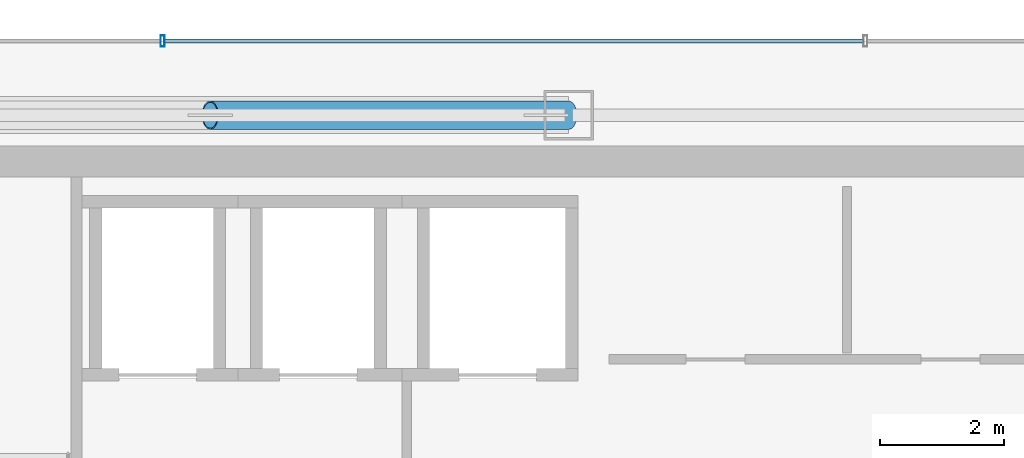
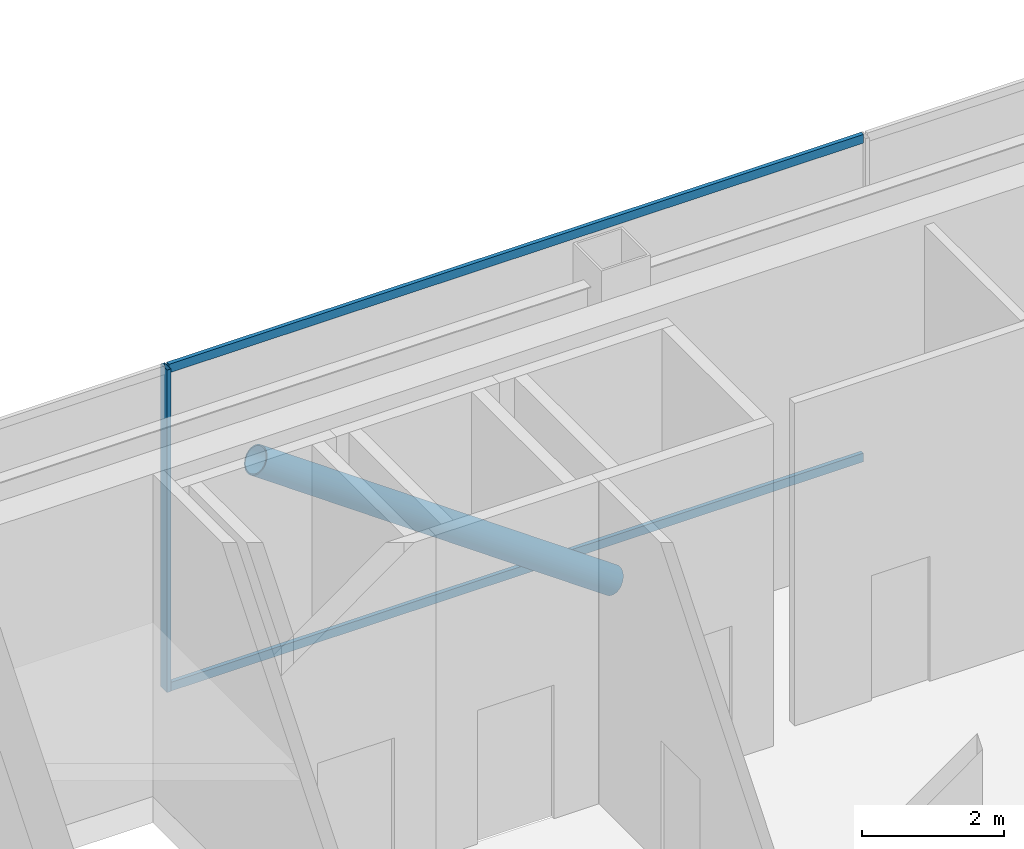
# One storey, part 23 of 34: 4 members, 1 element without a shape of its own.
"""IFC4 building model written with IfcOpenShell, lengths in metres."""

from ifc_helpers import new_model, si_unit, direction, frame, origin, origin_2d, place, context, subcontext, project, spatial, hollow_rectangle, hollow_circle, extrude, material, material_profile, profile_set, type_object, element, aggregate, save


model = new_model("IFC4")

# Units and contexts
model_context = context("Model", 3, precision=1e-05, world=origin(), true_north=direction((0.0, 1.0)))
body_context = subcontext(model_context, "Body", "Model", "MODEL_VIEW")
ifc_project = project(units=[si_unit("LENGTHUNIT", "METRE"), si_unit("AREAUNIT", "SQUARE_METRE"), si_unit("VOLUMEUNIT", "CUBIC_METRE"), si_unit("PLANEANGLEUNIT", "RADIAN"), si_unit("MASSUNIT", "GRAM", prefix="KILO")], contexts=[model_context])

# Site, building, storey
site_placement = place(None, origin())
site = spatial("IfcSite", under=ifc_project, at=site_placement, CompositionType="ELEMENT")
building_placement = place(site_placement, origin())
building = spatial("IfcBuilding", under=site, at=building_placement, Name="Saevonmaru Cultural Tower", CompositionType="ELEMENT")
storey_placement = place(building_placement, frame((0.0, 0.0, 224.60009765625)))
storey = spatial("IfcBuildingStorey", under=building, at=storey_placement, Name="L52", CompositionType="ELEMENT", Elevation=224.60009765625)

# Member
ifc_material_1 = material(Name="Steel SM420", Category="steel")
ifc_material_profile_1 = material_profile(ifc_material_1, hollow_circle(Radius=0.228515625, WallThickness=0.02001953125, at=origin_2d()), Name="CHS-457.2x20")
ifc_profile_set_1 = profile_set([ifc_material_profile_1], Name="Steel SM420")
member_type_1 = type_object("IfcMemberType", Name="MB-OBR-CHS457", PredefinedType="BRACE", material=ifc_profile_set_1)
member_1_placement = place(storey_placement, frame((25.199951171875, 54.800048828125, 0.2998046875), z_axis=(-0.816573308229, 0.0, 0.577241745102), x_axis=(0.0, -1.0, 0.0)))
element("IfcMember", 1, at=member_1_placement, inside=storey, type_object=member_type_1, Name="L52 Outrigger Truss Diagonal OW1-2", PredefinedType="BRACE", context=body_context, shape_type="SweptSolid", body=[
    extrude(hollow_circle(Radius=0.228515625, WallThickness=0.02001953125, at=origin_2d()), origin(), (0.0, 0.0, 1.0), 7.10302734375),
])

# Curtain wall, members
ifc_material_2 = material(Name="Satin Bronze Anodised Aluminium", Category="aluminium")
curtain_wall_type = type_object("IfcCurtainWallType", Name="CW-TYP-B", PredefinedType="NOTDEFINED", material=ifc_material_2)
curtain_wall_placement = place(storey_placement, origin())
curtain_wall = element("IfcCurtainWall", 2, at=curtain_wall_placement, inside=storey, type_object=curtain_wall_type, Name="L52 Wind-Floor Acoustic Louvre Screen E10", PredefinedType="NOTDEFINED")
ifc_material_profile_2 = material_profile(ifc_material_2, hollow_rectangle(XDim=0.06494140625, YDim=0.179931640625, WallThickness=0.00390625, at=origin_2d()), Name="ALU-MULL-180x65x4")
ifc_profile_set_2 = profile_set([ifc_material_profile_2], Name="Satin Bronze Anodised Aluminium")
member_type_2 = type_object("IfcMemberType", Name="ML-CW-180x65", PredefinedType="MULLION", material=ifc_profile_set_2)
member_2_placement = place(storey_placement, frame((18.6298828125, 56.0, 0.0), z_axis=(0.0, 0.0, 1.0), x_axis=(-1.0, 0.0, 0.0)))
member_2 = element("IfcMember", 3, at=member_2_placement, type_object=member_type_2, Name="CW-TW-L52-E10 mullion 4", PredefinedType="MULLION", context=body_context, shape_type="SweptSolid", body=[
    extrude(hollow_rectangle(XDim=0.06494140625, YDim=0.179931640625, WallThickness=0.00390625, at=origin_2d()), origin(), (0.0, 0.0, 1.0), 5.5498046875),
])
ifc_material_profile_3 = material_profile(ifc_material_2, hollow_rectangle(XDim=0.06494140625, YDim=0.14990234375, WallThickness=0.00390625, at=origin_2d()), Name="ALU-TRAN-150x65x4")
ifc_profile_set_3 = profile_set([ifc_material_profile_3], Name="Satin Bronze Anodised Aluminium")
member_type_3 = type_object("IfcMemberType", Name="TR-CW-150x65", PredefinedType="USERDEFINED", material=ifc_profile_set_3)
member_3_placement = place(storey_placement, frame((29.967529296875, 56.0, 0.032470703125), z_axis=(-1.0, 0.0, 0.0), x_axis=(0.0, -1.0, 0.0)))
member_3 = element("IfcMember", 4, at=member_3_placement, type_object=member_type_3, Name="CW-TW-L52-E10 transom 3.1", ObjectType="TRANSOM", PredefinedType="USERDEFINED", context=body_context, shape_type="SweptSolid", body=[
    extrude(hollow_rectangle(XDim=0.06494140625, YDim=0.14990234375, WallThickness=0.00390625, at=origin_2d()), origin(), (0.0, 0.0, 1.0), 11.304931640625),
])
member_4_placement = place(storey_placement, frame((29.967529296875, 56.0, 5.517333984375), z_axis=(-1.0, 0.0, 0.0), x_axis=(0.0, -1.0, 0.0)))
member_4 = element("IfcMember", 5, at=member_4_placement, type_object=member_type_3, Name="CW-TW-L52-E10 transom 3.2", ObjectType="TRANSOM", PredefinedType="USERDEFINED", context=body_context, shape_type="SweptSolid", body=[
    extrude(hollow_rectangle(XDim=0.06494140625, YDim=0.14990234375, WallThickness=0.00390625, at=origin_2d()), origin(), (0.0, 0.0, 1.0), 11.304931640625),
])
aggregate(curtain_wall, [member_2, member_3, member_4])

save(model, "model.ifc")
